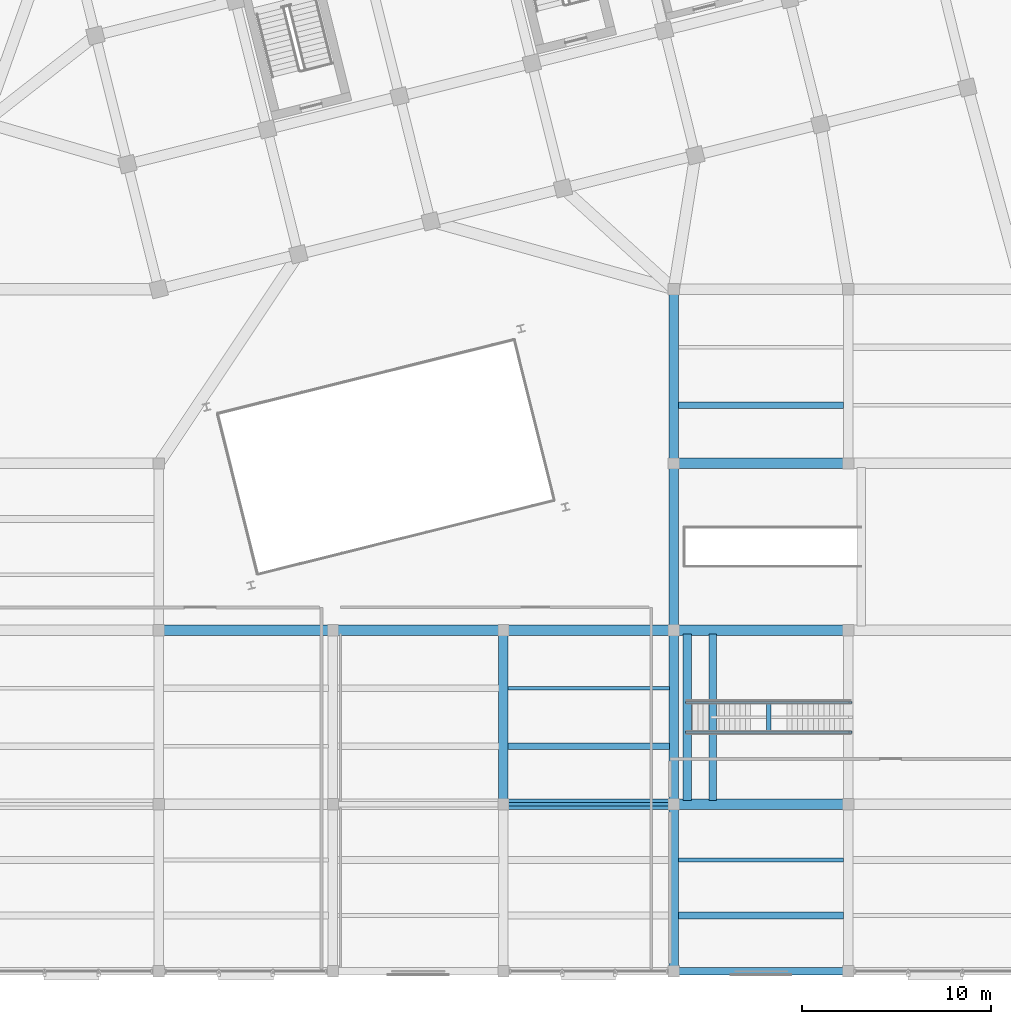
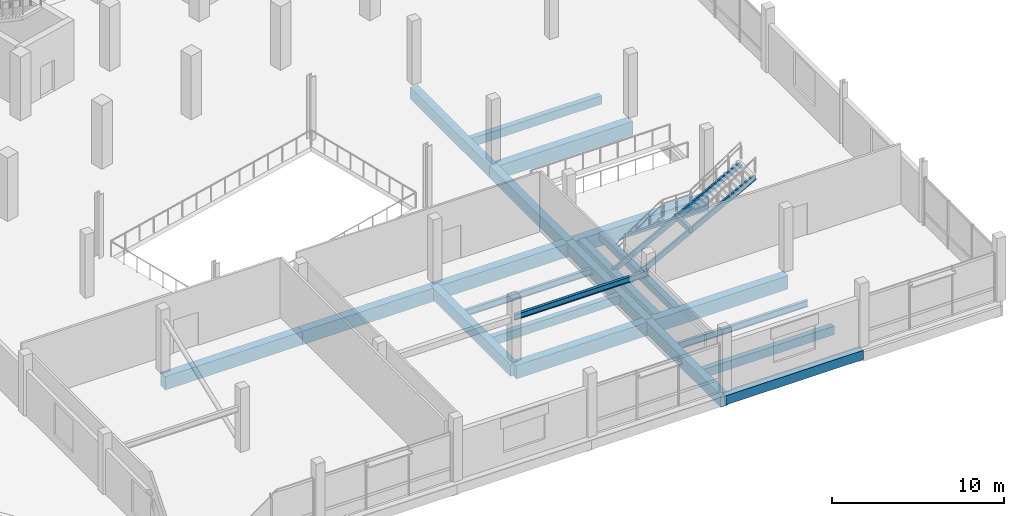
# One storey, part 27 of 77: 22 beams, 2 members.
"""IFC4 building model written with IfcOpenShell, lengths in metres."""

from ifc_helpers import new_model, si_unit, direction, frame, origin, origin_2d, place, context, subcontext, project, spatial, rectangle, i_section, extrude, material, material_profile, profile_set, type_object, element, save


model = new_model("IFC4")

# Units and contexts
model_context = context("Model", 3, precision=1e-05, world=origin(), true_north=direction((0.0, 1.0)))
body_context = subcontext(model_context, "Body", "Model", "MODEL_VIEW")
ifc_project = project(units=[si_unit("LENGTHUNIT", "METRE"), si_unit("AREAUNIT", "SQUARE_METRE"), si_unit("VOLUMEUNIT", "CUBIC_METRE"), si_unit("PLANEANGLEUNIT", "RADIAN"), si_unit("MASSUNIT", "GRAM", prefix="KILO")], contexts=[model_context])

# Site, building, storey
site_placement = place(None, origin())
site = spatial("IfcSite", under=ifc_project, at=site_placement, CompositionType="ELEMENT")
building_placement = place(site_placement, origin())
building = spatial("IfcBuilding", under=site, at=building_placement, Name="Meriwether Solvik Hall", CompositionType="ELEMENT")
storey_placement = place(building_placement, frame((0.0, 0.0, 9.89990234375)))
storey = spatial("IfcBuildingStorey", under=building, at=storey_placement, Name="L02", CompositionType="ELEMENT", Elevation=9.89990234375)

# Beams
ifc_material_1 = material(Name="Glulam Douglas-Fir 24F-V8 GL28h", Category="wood")
ifc_material_profile_1 = material_profile(ifc_material_1, rectangle(XDim=0.221923828125, YDim=0.340087890625, at=origin_2d()), Name="GLB-222X340")
ifc_profile_set_1 = profile_set([ifc_material_profile_1], Name="Glulam Douglas-Fir 24F-V8 GL28h")
beam_type_1 = type_object("IfcBeamType", Name="BM-LND-GL-222X340", PredefinedType="BEAM", material=ifc_profile_set_1)
beam_1_placement = place(storey_placement, frame((100.81005859375, 17.75, 1.905029296875), z_axis=(0.0, 1.0, 0.0), x_axis=(-1.0, 0.0, 0.0)))
element("IfcBeam", 1, at=beam_1_placement, inside=storey, type_object=beam_type_1, Name="Stair ST-AT3 Landing Cross-Bearer", PredefinedType="BEAM", context=body_context, shape_type="SweptSolid", body=[
    extrude(rectangle(XDim=0.221923828125, YDim=0.340087890625, at=origin_2d()), origin(), (0.0, 0.0, 1.0), 1.699951171875),
])
ifc_material_2 = material(Name="Concrete C40/50", Category="concrete")
ifc_material_profile_2 = material_profile(ifc_material_2, rectangle(XDim=0.39990234375, YDim=0.47998046875, at=origin_2d()), Name="RCB-400X480")
ifc_profile_set_2 = profile_set([ifc_material_profile_2], Name="Concrete C40/50")
beam_type_2 = type_object("IfcBeamType", Name="BM-LND-RC-400X480", PredefinedType="BEAM", material=ifc_profile_set_2)
beam_2_placement = place(storey_placement, frame((97.849365234375, 14.215087890625, -0.56982421875), z_axis=(0.0, 1.0, 0.0), x_axis=(-1.0, 0.0, 0.0)))
element("IfcBeam", 2, at=beam_2_placement, inside=storey, type_object=beam_type_2, Name="Stair ST-AT3 Spine Trimmer Beam", PredefinedType="BEAM", context=body_context, shape_type="SweptSolid", body=[
    extrude(rectangle(XDim=0.39990234375, YDim=0.47998046875, at=origin_2d()), origin(), (0.0, 0.0, 1.0), 8.77001953125),
])
ifc_material_3 = material(Name="Concrete C40/50", Category="concrete")
ifc_material_profile_3 = material_profile(ifc_material_3, rectangle(XDim=0.35009765625, YDim=0.60009765625, at=origin_2d()), Name="RCB-350X600")
ifc_profile_set_3 = profile_set([ifc_material_profile_3], Name="Concrete C40/50")
beam_type_3 = type_object("IfcBeamType", Name="BM-RC-350X600", PredefinedType="JOIST", material=ifc_profile_set_3)
beam_3_placement = place(storey_placement, frame((87.044921875, 17.066650390625, -0.6298828125), z_axis=(1.0, 0.0, 0.0), x_axis=(0.0, 1.0, 0.0)))
element("IfcBeam", 3, at=beam_3_placement, inside=storey, type_object=beam_type_3, Name="Secondary Floor Joist 10/B_J1 (L02)", PredefinedType="JOIST", context=body_context, shape_type="SweptSolid", body=[
    extrude(rectangle(XDim=0.35009765625, YDim=0.60009765625, at=origin_2d()), origin(), (0.0, 0.0, 1.0), 8.510009765625),
])
for number, where, z_axis, x_axis, name in (
    (4, (96.044921875, 8.13330078125, -0.6298828125), (1.0, 0.0, 0.0), (0.0, 1.0, 0.0), "Secondary Floor Joist 11/A_J1 (L02)"),
    (5, (96.044921875, 35.066650390625, -0.6298828125), (1.0, 0.0, 0.0), (0.0, 1.0, 0.0), "Secondary Floor Joist 11/D_J1 (L02)"),
):
    element("IfcBeam", number, at=place(storey_placement, frame(where, z_axis=z_axis, x_axis=x_axis)), inside=storey, type_object=beam_type_3, Name=name, PredefinedType="JOIST", context=body_context, shape_type="SweptSolid", body=[
        extrude(rectangle(XDim=0.35009765625, YDim=0.60009765625, at=origin_2d()), origin(), (0.0, 0.0, 1.0), 8.7099609375),
    ])
ifc_material_4 = material(Name="Concrete C40/50", Category="concrete")
ifc_material_profile_4 = material_profile(ifc_material_4, rectangle(XDim=0.39990234375, YDim=0.64990234375, at=origin_2d()), Name="RCB-400X650")
ifc_profile_set_4 = profile_set([ifc_material_profile_4], Name="Concrete C40/50")
beam_type_4 = type_object("IfcBeamType", Name="BM-RC-400X650", PredefinedType="SPANDREL", material=ifc_profile_set_4)
beam_4_placement = place(storey_placement, frame((95.800048828125, 5.199951171875, -0.65478515625), z_axis=(1.0, 0.0, 0.0), x_axis=(0.0, 1.0, 0.0)))
element("IfcBeam", 6, at=beam_4_placement, inside=storey, type_object=beam_type_4, Name="Podium Girder A:11-12 (L02)", PredefinedType="SPANDREL", context=body_context, shape_type="SweptSolid", body=[
    extrude(rectangle(XDim=0.39990234375, YDim=0.64990234375, at=origin_2d()), origin(), (0.0, 0.0, 1.0), 9.199951171875),
])
ifc_material_5 = material(Name="Concrete C40/50", Category="concrete")
ifc_material_profile_5 = material_profile(ifc_material_5, rectangle(XDim=0.449951171875, YDim=0.699951171875, at=origin_2d()), Name="RCB-450X700")
ifc_profile_set_5 = profile_set([ifc_material_profile_5], Name="Concrete C40/50")
beam_type_5 = type_object("IfcBeamType", Name="BM-RC-450X700", PredefinedType="BEAM", material=ifc_profile_set_5)
beam_5_placement = place(storey_placement, frame((96.5, 14.215087890625, -0.679931640625), z_axis=(0.0, 1.0, 0.0), x_axis=(-1.0, 0.0, 0.0)))
element("IfcBeam", 7, at=beam_5_placement, inside=storey, type_object=beam_type_5, Name="Stair ST-AT3 Bottom Trimmer Beam", PredefinedType="BEAM", context=body_context, shape_type="SweptSolid", body=[
    extrude(rectangle(XDim=0.449951171875, YDim=0.699951171875, at=origin_2d()), origin(), (0.0, 0.0, 1.0), 8.77001953125),
])
ifc_material_6 = material(Name="Concrete C40/50", Category="concrete")
ifc_material_profile_6 = material_profile(ifc_material_6, rectangle(XDim=0.5, YDim=0.85009765625, at=origin_2d()), Name="RCB-500X850")
ifc_profile_set_6 = profile_set([ifc_material_profile_6], Name="Concrete C40/50")
beam_type_6 = type_object("IfcBeamType", Name="BM-RC-500X850", PredefinedType="BEAM", material=ifc_profile_set_6)
beam_6_placement = place(storey_placement, frame((86.800048828125, 14.0, -0.7548828125), z_axis=(0.0, 1.0, 0.0), x_axis=(-1.0, 0.0, 0.0)))
element("IfcBeam", 8, at=beam_6_placement, inside=storey, type_object=beam_type_6, Name="Podium Girder 10:B-C (L02)", PredefinedType="BEAM", context=body_context, shape_type="SweptSolid", body=[
    extrude(rectangle(XDim=0.5, YDim=0.85009765625, at=origin_2d()), origin(), (0.0, 0.0, 1.0), 9.199951171875),
])
beam_7_placement = place(storey_placement, frame((95.800048828125, 5.199951171875, -0.7548828125), z_axis=(0.0, 1.0, 0.0), x_axis=(-1.0, 0.0, 0.0)))
element("IfcBeam", 9, at=beam_7_placement, inside=storey, type_object=beam_type_6, Name="Podium Girder 11:A-B (L02)", PredefinedType="BEAM", context=body_context, shape_type="SweptSolid", body=[
    extrude(rectangle(XDim=0.5, YDim=0.85009765625, at=origin_2d()), origin(), (0.0, 0.0, 1.0), 8.800048828125),
])
beam_8_placement = place(storey_placement, frame((95.800048828125, 14.0, -0.7548828125), z_axis=(0.0, 1.0, 0.0), x_axis=(-1.0, 0.0, 0.0)))
element("IfcBeam", 10, at=beam_8_placement, inside=storey, type_object=beam_type_6, Name="Podium Girder 11:B-C (L02)", PredefinedType="BEAM", context=body_context, shape_type="SweptSolid", body=[
    extrude(rectangle(XDim=0.5, YDim=0.85009765625, at=origin_2d()), origin(), (0.0, 0.0, 1.0), 9.199951171875),
])
beam_9_placement = place(storey_placement, frame((95.800048828125, 23.199951171875, -0.7548828125), z_axis=(0.0, 1.0, 0.0), x_axis=(-1.0, 0.0, 0.0)))
element("IfcBeam", 11, at=beam_9_placement, inside=storey, type_object=beam_type_6, Name="Podium Girder 11:C-D (L02)", PredefinedType="BEAM", context=body_context, shape_type="SweptSolid", body=[
    extrude(rectangle(XDim=0.5, YDim=0.85009765625, at=origin_2d()), origin(), (0.0, 0.0, 1.0), 8.800048828125),
])
beam_10_placement = place(storey_placement, frame((95.800048828125, 32.0, -0.7548828125), z_axis=(0.0, 1.0, 0.0), x_axis=(-1.0, 0.0, 0.0)))
element("IfcBeam", 12, at=beam_10_placement, inside=storey, type_object=beam_type_6, Name="Podium Girder 11:D-E (L02)", PredefinedType="BEAM", context=body_context, shape_type="SweptSolid", body=[
    extrude(rectangle(XDim=0.5, YDim=0.85009765625, at=origin_2d()), origin(), (0.0, 0.0, 1.0), 9.199951171875),
])
ifc_material_7 = material(Name="Concrete C40/50", Category="concrete")
ifc_material_profile_7 = material_profile(ifc_material_7, rectangle(XDim=0.550048828125, YDim=0.949951171875, at=origin_2d()), Name="RCB-550X950")
ifc_profile_set_7 = profile_set([ifc_material_profile_7], Name="Concrete C40/50")
beam_type_7 = type_object("IfcBeamType", Name="BM-RC-550X950", PredefinedType="BEAM", material=ifc_profile_set_7)
beam_11_placement = place(storey_placement, frame((86.800048828125, 14.0, -0.804931640625), z_axis=(1.0, 0.0, 0.0), x_axis=(0.0, 1.0, 0.0)))
element("IfcBeam", 13, at=beam_11_placement, inside=storey, type_object=beam_type_7, Name="Podium Girder B:10-11 (L02)", PredefinedType="BEAM", context=body_context, shape_type="SweptSolid", body=[
    extrude(rectangle(XDim=0.550048828125, YDim=0.949951171875, at=origin_2d()), origin(), (0.0, 0.0, 1.0), 9.0),
])
for number, where, z_axis, x_axis, name in (
    (14, (95.800048828125, 14.0, -0.804931640625), (1.0, 0.0, 0.0), (0.0, 1.0, 0.0), "Podium Girder B:11-12 (L02)"),
    (15, (68.60009765625, 23.199951171875, -0.804931640625), (1.0, 0.0, 0.0), (0.0, 1.0, 0.0), "Podium Girder C:8-9 (L02)"),
):
    element("IfcBeam", number, at=place(storey_placement, frame(where, z_axis=z_axis, x_axis=x_axis)), inside=storey, type_object=beam_type_7, Name=name, PredefinedType="BEAM", context=body_context, shape_type="SweptSolid", body=[
        extrude(rectangle(XDim=0.550048828125, YDim=0.949951171875, at=origin_2d()), origin(), (0.0, 0.0, 1.0), 9.199951171875),
    ])
for number, where, z_axis, x_axis, name in (
    (16, (77.800048828125, 23.199951171875, -0.804931640625), (1.0, 0.0, 0.0), (0.0, 1.0, 0.0), "Podium Girder C:9-10 (L02)"),
    (17, (86.800048828125, 23.199951171875, -0.804931640625), (1.0, 0.0, 0.0), (0.0, 1.0, 0.0), "Podium Girder C:10-11 (L02)"),
):
    element("IfcBeam", number, at=place(storey_placement, frame(where, z_axis=z_axis, x_axis=x_axis)), inside=storey, type_object=beam_type_7, Name=name, PredefinedType="BEAM", context=body_context, shape_type="SweptSolid", body=[
        extrude(rectangle(XDim=0.550048828125, YDim=0.949951171875, at=origin_2d()), origin(), (0.0, 0.0, 1.0), 9.0),
    ])
for number, where, z_axis, x_axis, name in (
    (18, (95.800048828125, 23.199951171875, -0.804931640625), (1.0, 0.0, 0.0), (0.0, 1.0, 0.0), "Podium Girder C:11-12 (L02)"),
    (19, (95.800048828125, 32.0, -0.804931640625), (1.0, 0.0, 0.0), (0.0, 1.0, 0.0), "Podium Girder D:11-12 (L02)"),
):
    element("IfcBeam", number, at=place(storey_placement, frame(where, z_axis=z_axis, x_axis=x_axis)), inside=storey, type_object=beam_type_7, Name=name, PredefinedType="BEAM", context=body_context, shape_type="SweptSolid", body=[
        extrude(rectangle(XDim=0.550048828125, YDim=0.949951171875, at=origin_2d()), origin(), (0.0, 0.0, 1.0), 9.199951171875),
    ])
ifc_material_8 = material(Name="Steel A992 Grade 50", Category="steel")
ifc_material_profile_8 = material_profile(ifc_material_8, i_section(OverallWidth=0.177978515625, OverallDepth=0.406982421875, WebThickness=0.0078125, FlangeThickness=0.0126953125, at=origin_2d()), Name="W16X40")
ifc_profile_set_8 = profile_set([ifc_material_profile_8], Name="Steel A992 Grade 50")
beam_type_8 = type_object("IfcBeamType", Name="BM-STL-W16X40", PredefinedType="LINTEL", material=ifc_profile_set_8)
beam_12_placement = place(storey_placement, frame((86.800048828125, 14.0, 2.946533203125), z_axis=(1.0, 0.0, 0.0), x_axis=(0.0, 1.0, 0.0)))
element("IfcBeam", 20, at=beam_12_placement, inside=storey, type_object=beam_type_8, Name="Galleria Portal Lintel B:10-11 (L02)", PredefinedType="LINTEL", context=body_context, shape_type="SweptSolid", body=[
    extrude(i_section(OverallWidth=0.177978515625, OverallDepth=0.406982421875, WebThickness=0.0078125, FlangeThickness=0.0126953125, at=origin_2d()), origin(), (0.0, 0.0, 1.0), 9.0),
])
ifc_material_9 = material(Name="Steel A992 Grade 50", Category="steel")
ifc_material_profile_9 = material_profile(ifc_material_9, i_section(OverallWidth=0.19091796875, OverallDepth=0.45703125, WebThickness=0.009033203125, FlangeThickness=0.014404296875, at=origin_2d()), Name="W18X50")
ifc_profile_set_9 = profile_set([ifc_material_profile_9], Name="Steel A992 Grade 50")
beam_type_9 = type_object("IfcBeamType", Name="BM-STL-W18X50", PredefinedType="JOIST", material=ifc_profile_set_9)
beam_13_placement = place(storey_placement, frame((87.044921875, 20.13330078125, -0.558349609375), z_axis=(1.0, 0.0, 0.0), x_axis=(0.0, 1.0, 0.0)))
element("IfcBeam", 21, at=beam_13_placement, inside=storey, type_object=beam_type_9, Name="Secondary Floor Joist 10/B_J2 (L02)", PredefinedType="JOIST", context=body_context, shape_type="SweptSolid", body=[
    extrude(i_section(OverallWidth=0.19091796875, OverallDepth=0.45703125, WebThickness=0.009033203125, FlangeThickness=0.014404296875, at=origin_2d()), origin(), (0.0, 0.0, 1.0), 8.510009765625),
])
beam_14_placement = place(storey_placement, frame((96.044921875, 11.066650390625, -0.558349609375), z_axis=(1.0, 0.0, 0.0), x_axis=(0.0, 1.0, 0.0)))
element("IfcBeam", 22, at=beam_14_placement, inside=storey, type_object=beam_type_9, Name="Secondary Floor Joist 11/A_J2 (L02)", PredefinedType="JOIST", context=body_context, shape_type="SweptSolid", body=[
    extrude(i_section(OverallWidth=0.19091796875, OverallDepth=0.45703125, WebThickness=0.009033203125, FlangeThickness=0.014404296875, at=origin_2d()), origin(), (0.0, 0.0, 1.0), 8.7099609375),
])

# Members
ifc_material_10 = material(Name="Glulam Douglas-Fir 24F-V8 GL28h", Category="wood")
ifc_material_profile_10 = material_profile(ifc_material_10, rectangle(XDim=0.1298828125, YDim=0.3798828125, at=origin_2d()), Name="GLM-130X380")
ifc_profile_set_10 = profile_set([ifc_material_profile_10], Name="Glulam Douglas-Fir 24F-V8 GL28h")
member_type = type_object("IfcMemberType", Name="MEM-STR-GL130", PredefinedType="STRINGER", material=ifc_profile_set_10)
for number, where, z_axis, x_axis, name in (
    (23, (96.5, 17.820068359375, -0.449951171875), (0.882881212308, 0.0, 0.469596385158), (0.0, 1.0, 0.0), "Stair ST-AT3 Glulam Stringer L"),
    (24, (96.5, 19.3798828125, -0.449951171875), (0.882881212308, 0.0, 0.469596385158), (0.0, 1.0, 0.0), "Stair ST-AT3 Glulam Stringer R"),
):
    element("IfcMember", number, at=place(storey_placement, frame(where, z_axis=z_axis, x_axis=x_axis)), inside=storey, type_object=member_type, Name=name, PredefinedType="STRINGER", context=body_context, shape_type="SweptSolid", body=[
        extrude(rectangle(XDim=0.1298828125, YDim=0.3798828125, at=origin_2d()), origin(), (0.0, 0.0, 1.0), 9.763671875),
    ])

save(model, "model.ifc")
